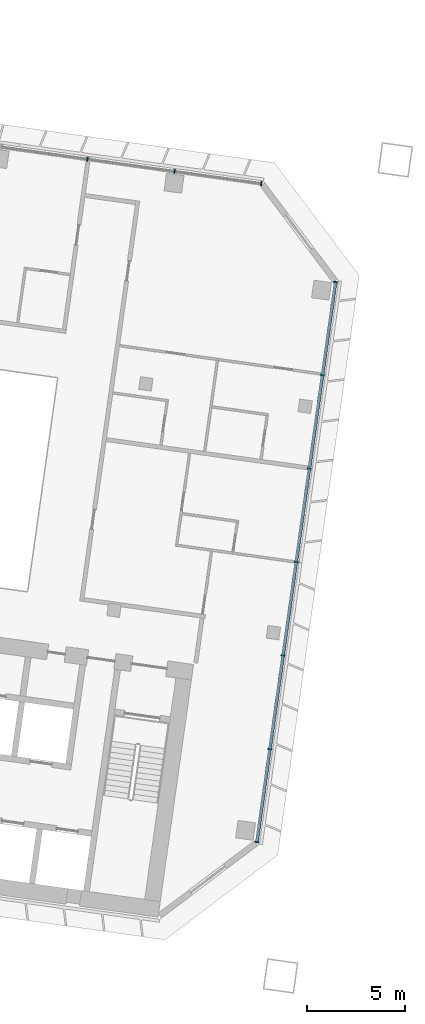
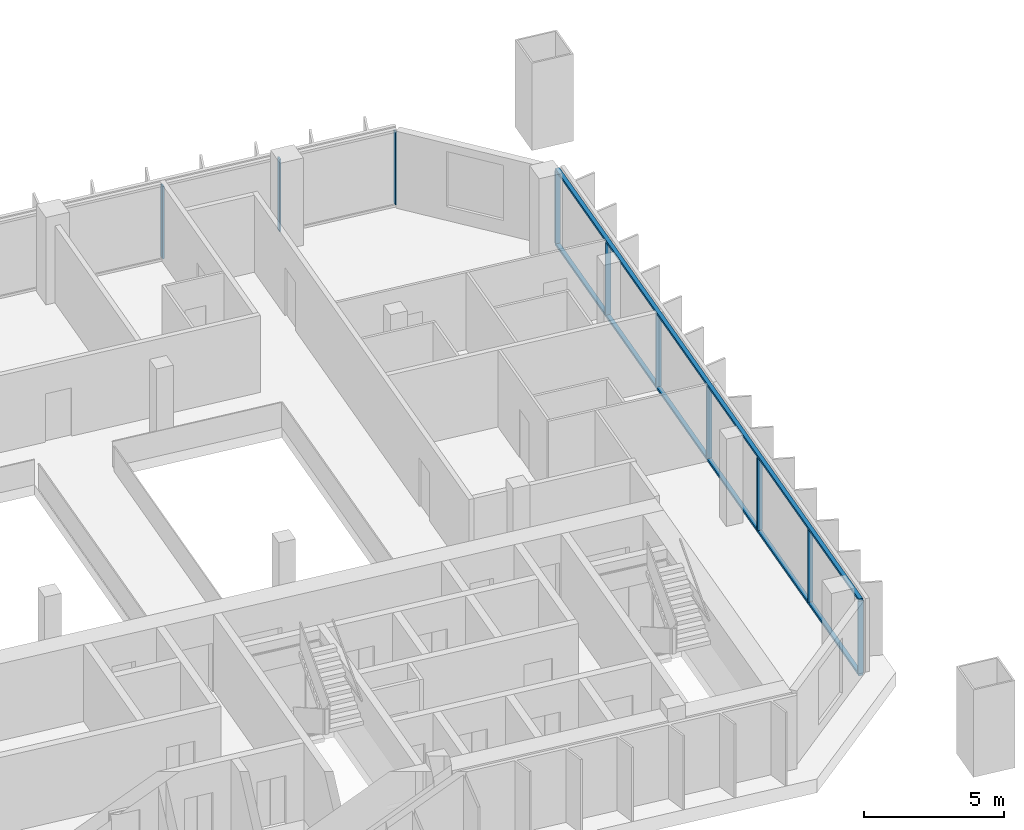
# One storey, part 6 of 26: 12 members, 2 elements without a shape of their own.
"""IFC4 building model written with IfcOpenShell, lengths in metres."""

from ifc_helpers import new_model, si_unit, direction, frame, origin, origin_2d, place, context, subcontext, project, spatial, rectangle, extrude, material, material_profile, profile_set, type_object, element, aggregate, save


model = new_model("IFC4")

# Units and contexts
model_context = context("Model", 3, precision=1e-05, world=origin(), true_north=direction((0.0, 1.0)))
body_context = subcontext(model_context, "Body", "Model", "MODEL_VIEW")
ifc_project = project(units=[si_unit("LENGTHUNIT", "METRE"), si_unit("AREAUNIT", "SQUARE_METRE"), si_unit("VOLUMEUNIT", "CUBIC_METRE"), si_unit("PLANEANGLEUNIT", "RADIAN"), si_unit("MASSUNIT", "GRAM", prefix="KILO")], contexts=[model_context])

# Site, building, storey
site_placement = place(None, origin())
site = spatial("IfcSite", under=ifc_project, at=site_placement, CompositionType="ELEMENT")
building_placement = place(site_placement, origin())
building = spatial("IfcBuilding", under=site, at=building_placement, Name="Mirante Cascada Hotel Towers", CompositionType="ELEMENT")
storey_placement = place(building_placement, frame((0.0, 0.0, 113.9)))
storey = spatial("IfcBuildingStorey", under=building, at=storey_placement, Name="L25", CompositionType="ELEMENT", Elevation=113.9)

# Curtain wall, members
ifc_material_1 = material(Name="Aluminium mullion and transom frame with clear laminated glass", Category="aluminium")
curtain_wall_type_1 = type_object("IfcCurtainWallType", Name="Ribbon curtain wall ECW1", PredefinedType="NOTDEFINED", material=ifc_material_1)
curtain_wall_1_placement = place(storey_placement, origin())
curtain_wall_1 = element("IfcCurtainWall", 1, at=curtain_wall_1_placement, inside=storey, type_object=curtain_wall_type_1, Name="Front ribbon wall T1 L25", PredefinedType="NOTDEFINED")
ifc_material_2 = material(Name="Anodised aluminium extrusion", Category="aluminium")
ifc_material_profile_1 = material_profile(ifc_material_2, rectangle(XDim=0.2, YDim=0.065, at=origin_2d()), Name="ECW1 MULLION 65x200")
ifc_profile_set_1 = profile_set([ifc_material_profile_1], Name="Anodised aluminium extrusion")
member_type_1 = type_object("IfcMemberType", Name="ECW1 mullion 65x200", PredefinedType="MULLION", material=ifc_profile_set_1)
member_1_placement = place(storey_placement, frame((-40.7892, 18.5516, 0.1), z_axis=(0.0, 0.0, 1.0), x_axis=(0.1391731, 0.9902681, 0.0)))
member_1 = element("IfcMember", 2, at=member_1_placement, type_object=member_type_1, Name="ECW1 mullion 13", PredefinedType="MULLION", context=body_context, shape_type="SweptSolid", body=[
    extrude(rectangle(XDim=0.2, YDim=0.065, at=origin_2d()), origin(), (0.0, 0.0, 1.0), 3.15),
])
member_2_placement = place(storey_placement, frame((-36.3417, 17.9265, 0.1), z_axis=(0.0, 0.0, 1.0), x_axis=(0.1391731, 0.9902681, 0.0)))
member_2 = element("IfcMember", 3, at=member_2_placement, type_object=member_type_1, Name="ECW1 mullion 14", PredefinedType="MULLION", context=body_context, shape_type="SweptSolid", body=[
    extrude(rectangle(XDim=0.2, YDim=0.065, at=origin_2d()), origin(), (0.0, 0.0, 1.0), 3.15),
])
member_3_placement = place(storey_placement, frame((-31.9265, 17.306, 0.1), z_axis=(0.0, 0.0, 1.0), x_axis=(0.1391731, 0.9902681, 0.0)))
member_3 = element("IfcMember", 4, at=member_3_placement, type_object=member_type_1, Name="ECW1 mullion 15", PredefinedType="MULLION", context=body_context, shape_type="SweptSolid", body=[
    extrude(rectangle(XDim=0.2, YDim=0.065, at=origin_2d()), origin(), (0.0, 0.0, 1.0), 3.15),
])
aggregate(curtain_wall_1, [member_1, member_2, member_3])

ifc_material_3 = material(Name="Aluminium mullion and transom frame with clear laminated glass", Category="aluminium")
curtain_wall_type_2 = type_object("IfcCurtainWallType", Name="End ribbon curtain wall ECW2", PredefinedType="NOTDEFINED", material=ifc_material_3)
curtain_wall_2_placement = place(storey_placement, origin())
curtain_wall_2 = element("IfcCurtainWall", 5, at=curtain_wall_2_placement, inside=storey, type_object=curtain_wall_type_2, Name="Inner end wall T1 L25", PredefinedType="NOTDEFINED")
ifc_material_4 = material(Name="Anodised aluminium extrusion", Category="aluminium")
ifc_material_profile_2 = material_profile(ifc_material_4, rectangle(XDim=0.2, YDim=0.065, at=origin_2d()), Name="ECW2 MULLION 65x200")
ifc_profile_set_2 = profile_set([ifc_material_profile_2], Name="Anodised aluminium extrusion")
member_type_2 = type_object("IfcMemberType", Name="ECW2 mullion 65x200", PredefinedType="MULLION", material=ifc_profile_set_2)
member_4_placement = place(storey_placement, frame((-28.1437, 12.2861, 0.1), z_axis=(0.0, 0.0, 1.0), x_axis=(0.9902681, -0.1391731, 0.0)))
member_4 = element("IfcMember", 6, at=member_4_placement, type_object=member_type_2, Name="ECW2 mullion 1", PredefinedType="MULLION", context=body_context, shape_type="SweptSolid", body=[
    extrude(rectangle(XDim=0.2, YDim=0.065, at=origin_2d()), origin(), (0.0, 0.0, 1.0), 3.15),
])
member_5_placement = place(storey_placement, frame((-28.809, 7.5524, 0.1), z_axis=(0.0, 0.0, 1.0), x_axis=(0.9902681, -0.1391731, 0.0)))
member_5 = element("IfcMember", 7, at=member_5_placement, type_object=member_type_2, Name="ECW2 mullion 2", PredefinedType="MULLION", context=body_context, shape_type="SweptSolid", body=[
    extrude(rectangle(XDim=0.2, YDim=0.065, at=origin_2d()), origin(), (0.0, 0.0, 1.0), 3.15),
])
member_6_placement = place(storey_placement, frame((-29.4788, 2.7867, 0.1), z_axis=(0.0, 0.0, 1.0), x_axis=(0.9902681, -0.1391731, 0.0)))
member_6 = element("IfcMember", 8, at=member_6_placement, type_object=member_type_2, Name="ECW2 mullion 3", PredefinedType="MULLION", context=body_context, shape_type="SweptSolid", body=[
    extrude(rectangle(XDim=0.2, YDim=0.065, at=origin_2d()), origin(), (0.0, 0.0, 1.0), 3.15),
])
member_7_placement = place(storey_placement, frame((-30.1485, -1.9791, 0.1), z_axis=(0.0, 0.0, 1.0), x_axis=(0.9902681, -0.1391731, 0.0)))
member_7 = element("IfcMember", 9, at=member_7_placement, type_object=member_type_2, Name="ECW2 mullion 4", PredefinedType="MULLION", context=body_context, shape_type="SweptSolid", body=[
    extrude(rectangle(XDim=0.2, YDim=0.065, at=origin_2d()), origin(), (0.0, 0.0, 1.0), 3.15),
])
member_8_placement = place(storey_placement, frame((-30.8183, -6.7449, 0.1), z_axis=(0.0, 0.0, 1.0), x_axis=(0.9902681, -0.1391731, 0.0)))
member_8 = element("IfcMember", 10, at=member_8_placement, type_object=member_type_2, Name="ECW2 mullion 5", PredefinedType="MULLION", context=body_context, shape_type="SweptSolid", body=[
    extrude(rectangle(XDim=0.2, YDim=0.065, at=origin_2d()), origin(), (0.0, 0.0, 1.0), 3.15),
])
member_9_placement = place(storey_placement, frame((-31.4881, -11.5107, 0.1), z_axis=(0.0, 0.0, 1.0), x_axis=(0.9902681, -0.1391731, 0.0)))
member_9 = element("IfcMember", 11, at=member_9_placement, type_object=member_type_2, Name="ECW2 mullion 6", PredefinedType="MULLION", context=body_context, shape_type="SweptSolid", body=[
    extrude(rectangle(XDim=0.2, YDim=0.065, at=origin_2d()), origin(), (0.0, 0.0, 1.0), 3.15),
])
member_10_placement = place(storey_placement, frame((-32.1534, -16.2443, 0.1), z_axis=(0.0, 0.0, 1.0), x_axis=(0.9902681, -0.1391731, 0.0)))
member_10 = element("IfcMember", 12, at=member_10_placement, type_object=member_type_2, Name="ECW2 mullion 7", PredefinedType="MULLION", context=body_context, shape_type="SweptSolid", body=[
    extrude(rectangle(XDim=0.2, YDim=0.065, at=origin_2d()), origin(), (0.0, 0.0, 1.0), 3.15),
])
ifc_material_5 = material(Name="Anodised aluminium extrusion", Category="aluminium")
ifc_material_profile_3 = material_profile(ifc_material_5, rectangle(XDim=0.16, YDim=0.1, at=origin_2d()), Name="ECW2 TRANSOM 100x160")
ifc_profile_set_3 = profile_set([ifc_material_profile_3], Name="Anodised aluminium extrusion")
member_type_3 = type_object("IfcMemberType", Name="ECW2 transom 100x160", PredefinedType="USERDEFINED", material=ifc_profile_set_3)
member_11_placement = place(storey_placement, frame((-28.1392, 12.3182, 0.05), z_axis=(-0.1391723, -0.9902682, 0.0), x_axis=(0.9902682, -0.1391723, 0.0)))
member_11 = element("IfcMember", 13, at=member_11_placement, type_object=member_type_3, Name="ECW2 sill transom", ObjectType="TRANSOM", PredefinedType="USERDEFINED", context=body_context, shape_type="SweptSolid", body=[
    extrude(rectangle(XDim=0.16, YDim=0.1, at=origin_2d()), origin(), (0.0, 0.0, 1.0), 28.8757),
])
member_12_placement = place(storey_placement, frame((-28.1392, 12.3182, 3.3), z_axis=(-0.1391723, -0.9902682, 0.0), x_axis=(0.9902682, -0.1391723, 0.0)))
member_12 = element("IfcMember", 14, at=member_12_placement, type_object=member_type_3, Name="ECW2 head transom", ObjectType="TRANSOM", PredefinedType="USERDEFINED", context=body_context, shape_type="SweptSolid", body=[
    extrude(rectangle(XDim=0.16, YDim=0.1, at=origin_2d()), origin(), (0.0, 0.0, 1.0), 28.8757),
])
aggregate(curtain_wall_2, [member_11, member_12, member_4, member_5, member_6, member_7, member_8, member_9, member_10])

save(model, "model.ifc")
